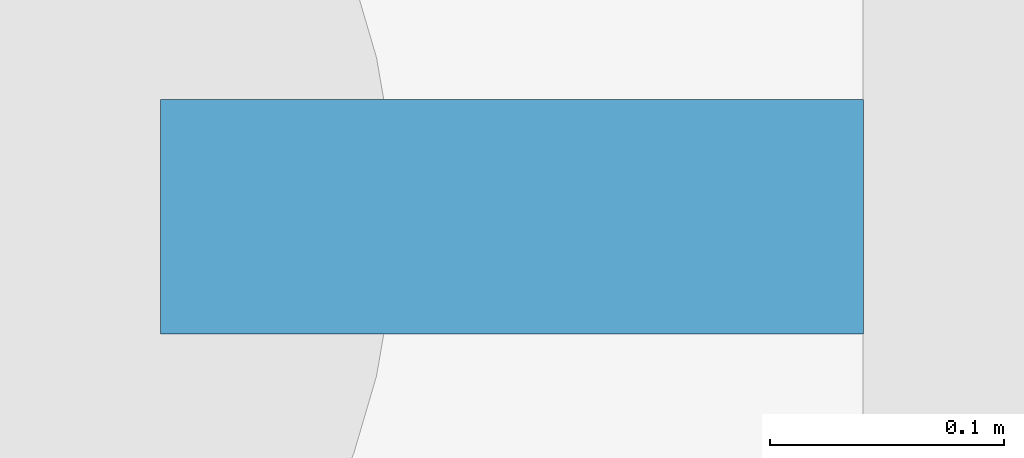
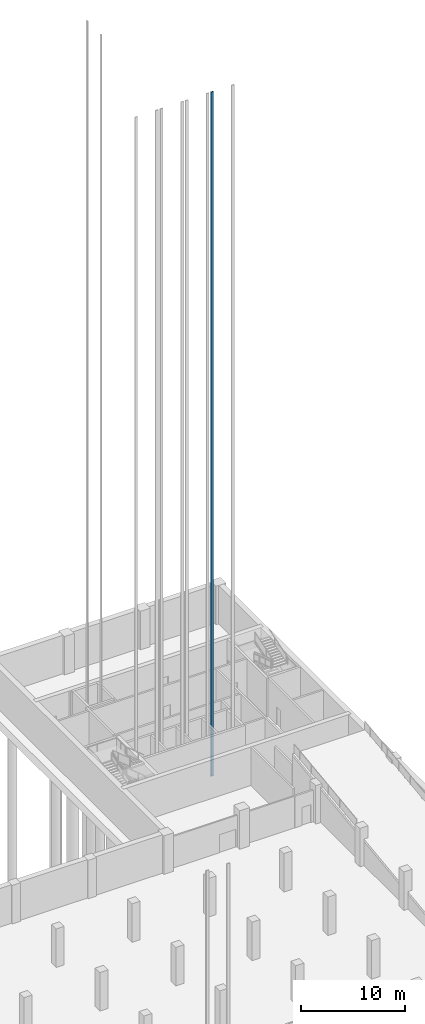
# One storey, part 18 of 26: 1 discrete accessory.
"""IFC4 building model written with IfcOpenShell, lengths in metres."""

from ifc_helpers import new_model, si_unit, direction, frame, origin, origin_2d, place, context, subcontext, project, spatial, rectangle, extrude, material, type_object, element, save


model = new_model("IFC4")

# Units and contexts
model_context = context("Model", 3, precision=1e-05, world=origin(), true_north=direction((0.0, 1.0)))
body_context = subcontext(model_context, "Body", "Model", "MODEL_VIEW")
ifc_project = project(units=[si_unit("LENGTHUNIT", "METRE"), si_unit("AREAUNIT", "SQUARE_METRE"), si_unit("VOLUMEUNIT", "CUBIC_METRE"), si_unit("PLANEANGLEUNIT", "RADIAN"), si_unit("MASSUNIT", "GRAM", prefix="KILO")], contexts=[model_context])

# Site, building, storey
site_placement = place(None, origin())
site = spatial("IfcSite", under=ifc_project, at=site_placement, CompositionType="ELEMENT")
building_placement = place(site_placement, origin())
building = spatial("IfcBuilding", under=site, at=building_placement, Name="Rulbaag Community and Learning Centre", CompositionType="ELEMENT")
storey_placement = place(building_placement, frame((0.0, 0.0, -9.60009765625)))
storey = spatial("IfcBuildingStorey", under=building, at=storey_placement, Name="B2", CompositionType="ELEMENT", Elevation=-9.60009765625)

# Discrete accessory
ifc_material = material(Name="Steel E350", Category="steel")
discrete_accessory_type = type_object("IfcDiscreteAccessoryType", Name="LR-GUIDE RAIL 300 x 100", PredefinedType="BRACKET", material=ifc_material)
discrete_accessory_placement = place(storey_placement, frame((155.550048828125, 97.25, -1.5), z_axis=(0.0, 0.0, 1.0), x_axis=(1.0, 0.0, 0.0)))
element("IfcDiscreteAccessory", 1, at=discrete_accessory_placement, inside=storey, type_object=discrete_accessory_type, Name="Guide rail LP4 W", PredefinedType="BRACKET", context=body_context, shape_type="SweptSolid", body=[
    extrude(rectangle(XDim=0.300048828125, YDim=0.10009765625, at=origin_2d()), origin(), (0.0, 0.0, 1.0), 80.0),
])

save(model, "model.ifc")
